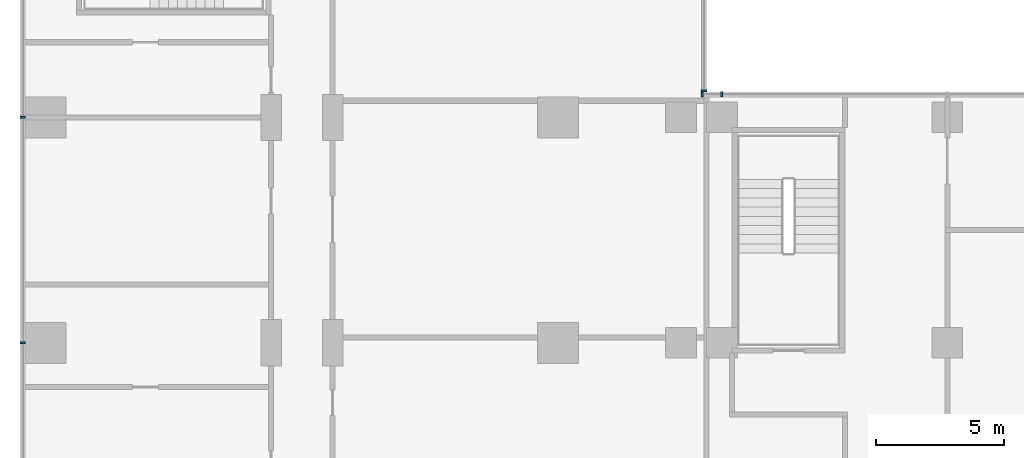
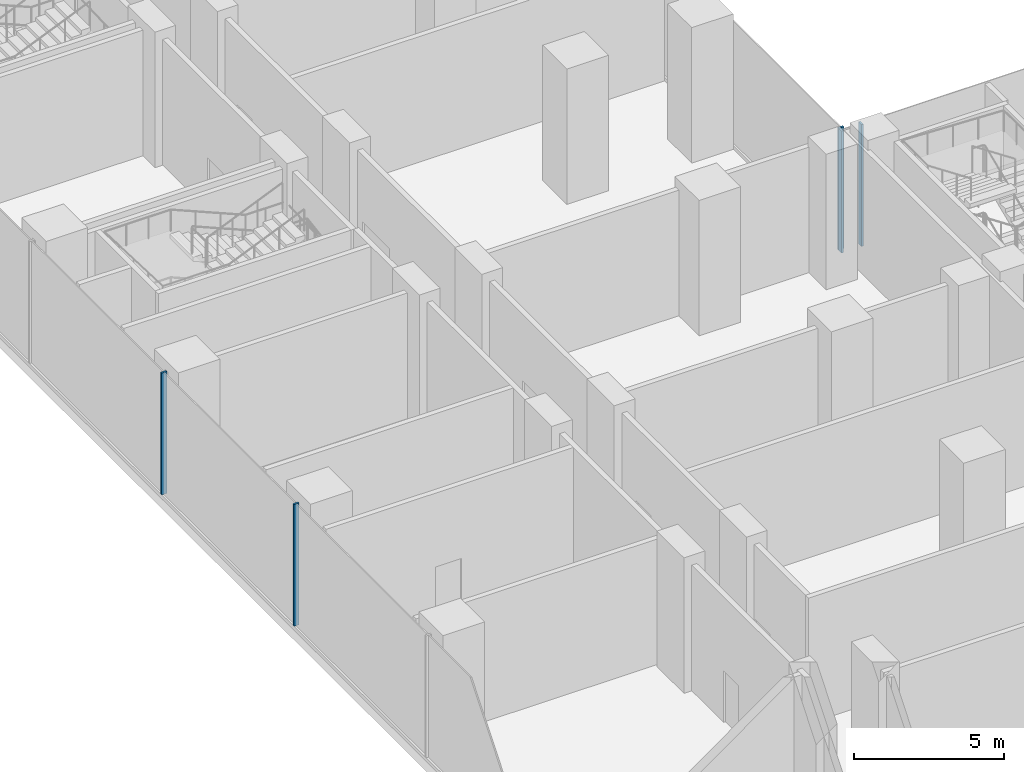
# One storey, part 7 of 30: 5 members, 3 elements without a shape of their own.
"""IFC4 building model written with IfcOpenShell, lengths in metres."""

from ifc_helpers import new_model, si_unit, direction, frame, origin, origin_2d, place, context, subcontext, project, spatial, rectangle, extrude, source, transform, mapped, material, material_profile, profile_set, type_object, element, aggregate, save


model = new_model("IFC4")

# Units and contexts
model_context = context("Model", 3, precision=1e-05, world=origin(), true_north=direction((0.0, 1.0)))
body_context = subcontext(model_context, "Body", "Model", "MODEL_VIEW")
ifc_project = project(units=[si_unit("LENGTHUNIT", "METRE"), si_unit("AREAUNIT", "SQUARE_METRE"), si_unit("VOLUMEUNIT", "CUBIC_METRE"), si_unit("PLANEANGLEUNIT", "RADIAN"), si_unit("MASSUNIT", "GRAM", prefix="KILO")], contexts=[model_context])

# Site, building, storey
site_placement = place(None, origin())
site = spatial("IfcSite", under=ifc_project, at=site_placement, CompositionType="ELEMENT")
building_placement = place(site_placement, origin())
building = spatial("IfcBuilding", under=site, at=building_placement, Name="Kemantara Hotel Tower", CompositionType="ELEMENT")
storey_placement = place(building_placement, frame((0.0, 0.0, 7.5)))
storey = spatial("IfcBuildingStorey", under=building, at=storey_placement, Name="L01", CompositionType="ELEMENT", Elevation=7.5)

# Curtain wall, members
ifc_material_1 = material(Name="Laminated tinted insulated glass 44 mm", Category="glass")
curtain_wall_type = type_object("IfcCurtainWallType", Name="PODIUM GLASS CURTAIN WALL", PredefinedType="USERDEFINED", material=ifc_material_1)
curtain_wall_1_placement = place(storey_placement, origin())
curtain_wall_1 = element("IfcCurtainWall", 1, at=curtain_wall_1_placement, inside=storey, type_object=curtain_wall_type, Name="CW1 L01 POD-R09-1", ObjectType="PODIUM GLASS CURTAIN WALL", PredefinedType="USERDEFINED")
ifc_material_2 = material(Name="Aluminium 6063-T6 bronze anodised", Category="aluminium")
ifc_material_profile = material_profile(ifc_material_2, rectangle(XDim=0.199951171875, YDim=0.074951171875, at=origin_2d()), Name="PODIUM GLASS CURTAIN WALL MULLION")
ifc_profile_set = profile_set([ifc_material_profile], Name="Aluminium 6063-T6 bronze anodised")
member_type = type_object("IfcMemberType", Name="PODIUM GLASS CURTAIN WALL MULLION", PredefinedType="MULLION", material=ifc_profile_set)
shared_shape = source(origin(), body_context, "Body", "SweptSolid", [
    extrude(rectangle(XDim=0.199951171875, YDim=0.074951171875, at=origin_2d()), origin(), (0.0, 0.0, 1.0), 4.9501953125),
])
member_1_placement = place(storey_placement, frame((27.39990234375, 54.699951171875, 0.14990234375), z_axis=(0.0, 0.0, 1.0), x_axis=(0.0, -1.0, 0.0)))
member_1 = element("IfcMember", 2, at=member_1_placement, type_object=member_type, Name="CW1 mullion POD-R09-1.6", PredefinedType="MULLION", context=body_context, shape_type="MappedRepresentation", body=[
    mapped(shared_shape, transform((0.0, 0.0, 0.0))),
])
member_2_placement = place(storey_placement, frame((26.637451171875, 54.699951171875, 0.14990234375), z_axis=(0.0, 0.0, 1.0), x_axis=(0.0, -1.0, 0.0)))
member_2 = element("IfcMember", 3, at=member_2_placement, type_object=member_type, Name="CW1 mullion POD-R09-1.7", PredefinedType="MULLION", context=body_context, shape_type="MappedRepresentation", body=[
    mapped(shared_shape, transform((0.0, 0.0, 0.0))),
])
aggregate(curtain_wall_1, [member_1, member_2])

# Curtain wall, member
curtain_wall_2_placement = place(storey_placement, origin())
curtain_wall_2 = element("IfcCurtainWall", 4, at=curtain_wall_2_placement, inside=storey, type_object=curtain_wall_type, Name="CW1 L01 POD-R10-1", ObjectType="PODIUM GLASS CURTAIN WALL", PredefinedType="USERDEFINED")
member_3_placement = place(storey_placement, frame((26.699951171875, 54.83740234375, 0.14990234375), z_axis=(0.0, 0.0, 1.0), x_axis=(-1.0, 0.0, 0.0)))
member_3 = element("IfcMember", 5, at=member_3_placement, type_object=member_type, Name="CW1 mullion POD-R10-1.1", PredefinedType="MULLION", context=body_context, shape_type="MappedRepresentation", body=[
    mapped(shared_shape, transform((0.0, 0.0, 0.0))),
])
aggregate(curtain_wall_2, [member_3])

# Curtain wall, members
curtain_wall_3_placement = place(storey_placement, origin())
curtain_wall_3 = element("IfcCurtainWall", 6, at=curtain_wall_3_placement, inside=storey, type_object=curtain_wall_type, Name="CW1 L01 POD-R16-1", ObjectType="PODIUM GLASS CURTAIN WALL", PredefinedType="USERDEFINED")
member_4_placement = place(storey_placement, frame((0.10009765625, 53.800048828125, 0.14990234375), z_axis=(0.0, 0.0, 1.0), x_axis=(1.0, 0.0, 0.0)))
member_4 = element("IfcMember", 7, at=member_4_placement, type_object=member_type, Name="CW1 mullion POD-R16-1.4", PredefinedType="MULLION", context=body_context, shape_type="MappedRepresentation", body=[
    mapped(shared_shape, transform((0.0, 0.0, 0.0))),
])
member_5_placement = place(storey_placement, frame((0.10009765625, 45.0, 0.14990234375), z_axis=(0.0, 0.0, 1.0), x_axis=(1.0, 0.0, 0.0)))
member_5 = element("IfcMember", 8, at=member_5_placement, type_object=member_type, Name="CW1 mullion POD-R16-1.5", PredefinedType="MULLION", context=body_context, shape_type="MappedRepresentation", body=[
    mapped(shared_shape, transform((0.0, 0.0, 0.0))),
])
aggregate(curtain_wall_3, [member_4, member_5])

save(model, "model.ifc")
